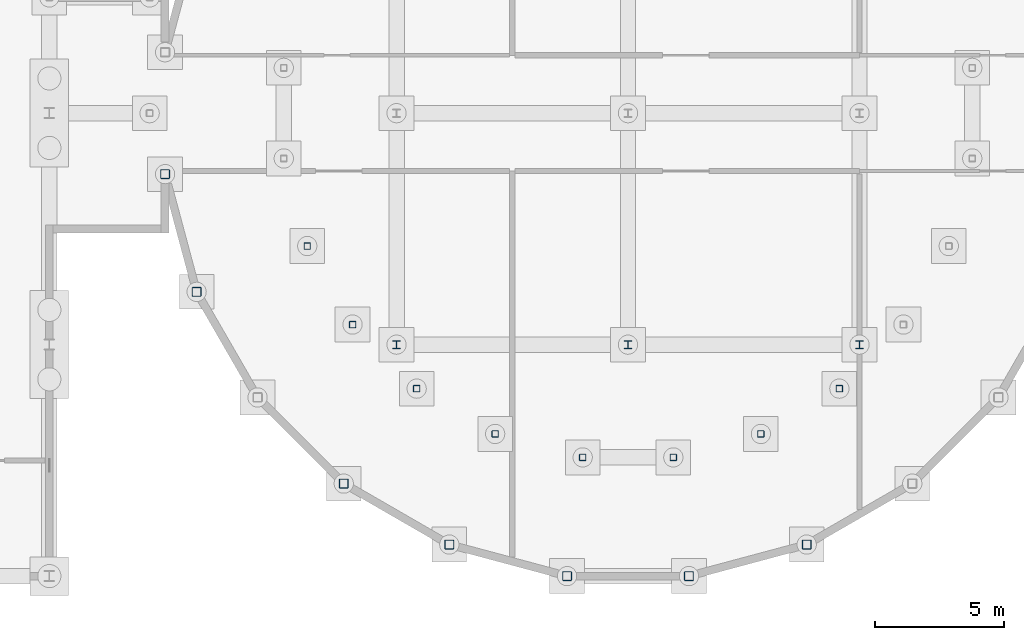
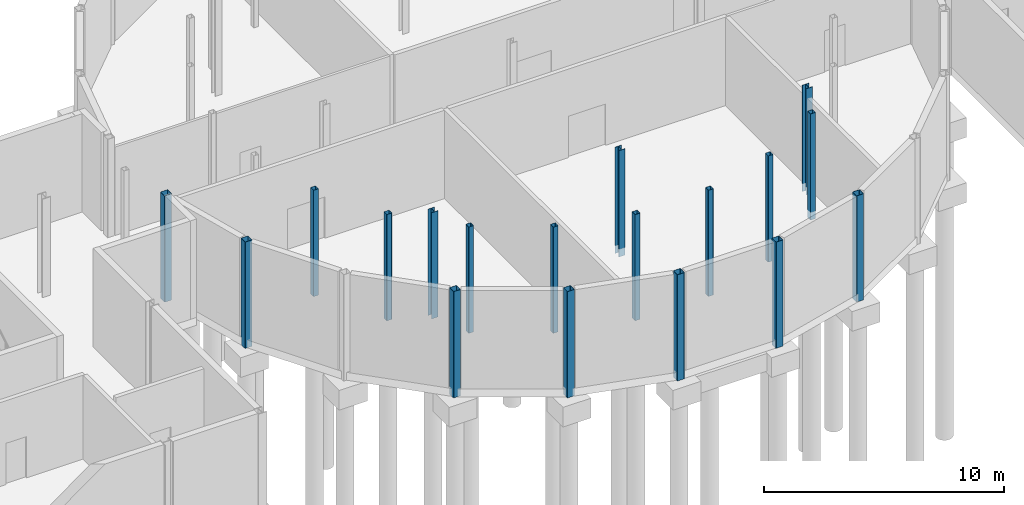
# One storey, part 7 of 25: 18 columns.
"""IFC4 building model written with IfcOpenShell, lengths in metres."""

from ifc_helpers import new_model, si_unit, direction, frame, origin, origin_2d, place, context, subcontext, project, spatial, hollow_rectangle, i_section, extrude, material, material_profile, profile_set, type_object, element, save


model = new_model("IFC4")

# Units and contexts
model_context = context("Model", 3, precision=1e-05, world=origin(), true_north=direction((0.0, 1.0)))
body_context = subcontext(model_context, "Body", "Model", "MODEL_VIEW")
ifc_project = project(units=[si_unit("LENGTHUNIT", "METRE"), si_unit("AREAUNIT", "SQUARE_METRE"), si_unit("VOLUMEUNIT", "CUBIC_METRE"), si_unit("PLANEANGLEUNIT", "RADIAN"), si_unit("MASSUNIT", "GRAM", prefix="KILO")], contexts=[model_context])

# Site, building, storey
site_placement = place(None, origin())
site = spatial("IfcSite", under=ifc_project, at=site_placement, CompositionType="ELEMENT")
building_placement = place(site_placement, origin())
building = spatial("IfcBuilding", under=site, at=building_placement, Name="Hortulan Conservatory and Botanical Research Centre", CompositionType="ELEMENT")
storey_placement = place(building_placement, frame((0.0, 0.0, -5.0)))
storey = spatial("IfcBuildingStorey", under=building, at=storey_placement, Name="B1", CompositionType="ELEMENT", Elevation=-5.0)

# Columns
ifc_material_1 = material(Name="Steel Grade 300PLUS (AS/NZS 3679.1, 280 MPa minimum yield)", Category="steel")
ifc_material_profile_1 = material_profile(ifc_material_1, i_section(OverallWidth=0.306884765625, OverallDepth=0.31494140625, WebThickness=0.011962890625, FlangeThickness=0.018798828125, FilletRadius=0.0166015625, at=origin_2d()), Name="310UC118")
ifc_profile_set_1 = profile_set([ifc_material_profile_1], Name="Steel Grade 300PLUS (AS/NZS 3679.1, 280 MPa minimum yield)")
column_type_1 = type_object("IfcColumnType", Name="Basement Column 310UC118", PredefinedType="COLUMN", material=ifc_profile_set_1)
for number, where, z_axis, x_axis, name in (
    (1, (45.0, 9.0, -0.39990234375), (0.0, 0.0, 1.0), (1.0, 0.0, 0.0), "310UC118 column"),
    (2, (54.0, 9.0, -0.39990234375), (0.0, 0.0, 1.0), (1.0, 0.0, 0.0), "310UC118 column"),
    (3, (63.0, 9.0, -0.39990234375), (0.0, 0.0, 1.0), (1.0, 0.0, 0.0), "310UC118 column"),
):
    element("IfcColumn", number, at=place(storey_placement, frame(where, z_axis=z_axis, x_axis=x_axis)), inside=storey, type_object=column_type_1, Name=name, PredefinedType="COLUMN", context=body_context, shape_type="SweptSolid", body=[
        extrude(i_section(OverallWidth=0.306884765625, OverallDepth=0.31494140625, WebThickness=0.011962890625, FlangeThickness=0.018798828125, FilletRadius=0.0166015625, at=origin_2d()), origin(), (0.0, 0.0, 1.0), 5.39990234375),
    ])
ifc_material_2 = material(Name="Steel Grade C450L0 (450 MPa, AS/NZS 1163)", Category="steel")
ifc_material_profile_2 = material_profile(ifc_material_2, hollow_rectangle(XDim=0.35009765625, YDim=0.35009765625, WallThickness=0.012451171875, InnerFilletRadius=0.018798828125, OuterFilletRadius=0.03125, at=origin_2d()), Name="350x350x12.5SHS")
ifc_profile_set_2 = profile_set([ifc_material_profile_2], Name="Steel Grade C450L0 (450 MPa, AS/NZS 1163)")
column_type_2 = type_object("IfcColumnType", Name="Dome Drum Column 350x350x12.5 SHS", PredefinedType="COLUMN", material=ifc_profile_set_2)
for number, where, z_axis, x_axis, name in (
    (4, (36.0, 15.63037109375, -0.39990234375), (0.0, 0.0, 1.0), (1.0, 0.0, 0.0), "Dome drum column 13 B1"),
    (5, (37.226806640625, 11.05224609375, -0.39990234375), (0.0, 0.0, 1.0), (1.0, 0.0, 0.0), "Dome drum column 14 B1"),
    (6, (42.94775390625, 3.596435546875, -0.39990234375), (0.0, 0.0, 1.0), (1.0, 0.0, 0.0), "Dome drum column 16 B1"),
    (7, (47.05224609375, 1.226806640625, -0.39990234375), (0.0, 0.0, 1.0), (1.0, 0.0, 0.0), "Dome drum column 17 B1"),
    (8, (51.63037109375, 0.0, -0.39990234375), (0.0, 0.0, 1.0), (1.0, 0.0, 0.0), "Dome drum column 18 B1"),
    (9, (56.36962890625, 0.0, -0.39990234375), (0.0, 0.0, 1.0), (1.0, 0.0, 0.0), "Dome drum column 19 B1"),
    (10, (60.94775390625, 1.226806640625, -0.39990234375), (0.0, 0.0, 1.0), (1.0, 0.0, 0.0), "Dome drum column 20 B1"),
):
    element("IfcColumn", number, at=place(storey_placement, frame(where, z_axis=z_axis, x_axis=x_axis)), inside=storey, type_object=column_type_2, Name=name, PredefinedType="COLUMN", context=body_context, shape_type="SweptSolid", body=[
        extrude(hollow_rectangle(XDim=0.35009765625, YDim=0.35009765625, WallThickness=0.012451171875, InnerFilletRadius=0.018798828125, OuterFilletRadius=0.03125, at=origin_2d()), origin(), (0.0, 0.0, 1.0), 5.39990234375),
    ])
ifc_material_profile_3 = material_profile(ifc_material_2, hollow_rectangle(XDim=0.25, YDim=0.25, WallThickness=0.009033203125, InnerFilletRadius=0.013427734375, OuterFilletRadius=0.0224609375, at=origin_2d()), Name="250x250x9SHS")
ifc_profile_set_3 = profile_set([ifc_material_profile_3], Name="Steel Grade C450L0 (450 MPa, AS/NZS 1163)")
column_type_3 = type_object("IfcColumnType", Name="Dome Walk Support Column 250x250x9 SHS", PredefinedType="COLUMN", material=ifc_profile_set_3)
for number, where, z_axis, x_axis, name in (
    (11, (41.527587890625, 12.833740234375, -0.39990234375), (0.0, 0.0, 1.0), (1.0, 0.0, 0.0), "Dome walk support 14 B1"),
    (12, (43.289794921875, 9.78173828125, -0.39990234375), (0.0, 0.0, 1.0), (1.0, 0.0, 0.0), "Dome walk support 15 B1"),
    (13, (45.78173828125, 7.289794921875, -0.39990234375), (0.0, 0.0, 1.0), (1.0, 0.0, 0.0), "Dome walk support 16 B1"),
    (14, (48.833740234375, 5.527587890625, -0.39990234375), (0.0, 0.0, 1.0), (1.0, 0.0, 0.0), "Dome walk support 17 B1"),
    (15, (52.23779296875, 4.615478515625, -0.39990234375), (0.0, 0.0, 1.0), (1.0, 0.0, 0.0), "Dome walk support 18 B1"),
    (16, (55.76220703125, 4.615478515625, -0.39990234375), (0.0, 0.0, 1.0), (1.0, 0.0, 0.0), "Dome walk support 19 B1"),
    (17, (59.166259765625, 5.527587890625, -0.39990234375), (0.0, 0.0, 1.0), (1.0, 0.0, 0.0), "Dome walk support 20 B1"),
    (18, (62.21826171875, 7.289794921875, -0.39990234375), (0.0, 0.0, 1.0), (1.0, 0.0, 0.0), "Dome walk support 21 B1"),
):
    element("IfcColumn", number, at=place(storey_placement, frame(where, z_axis=z_axis, x_axis=x_axis)), inside=storey, type_object=column_type_3, Name=name, PredefinedType="COLUMN", context=body_context, shape_type="SweptSolid", body=[
        extrude(hollow_rectangle(XDim=0.25, YDim=0.25, WallThickness=0.009033203125, InnerFilletRadius=0.013427734375, OuterFilletRadius=0.0224609375, at=origin_2d()), origin(), (0.0, 0.0, 1.0), 5.39990234375),
    ])

save(model, "model.ifc")
